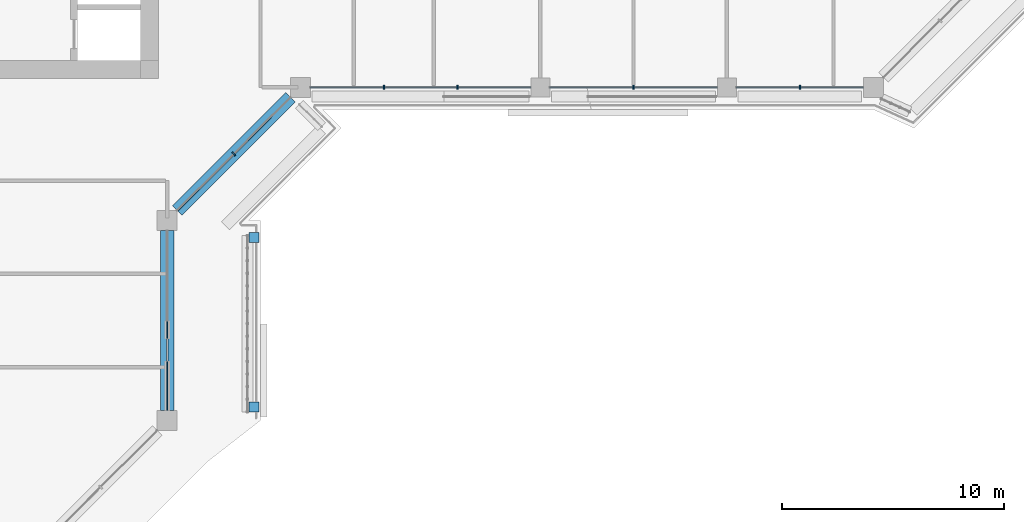
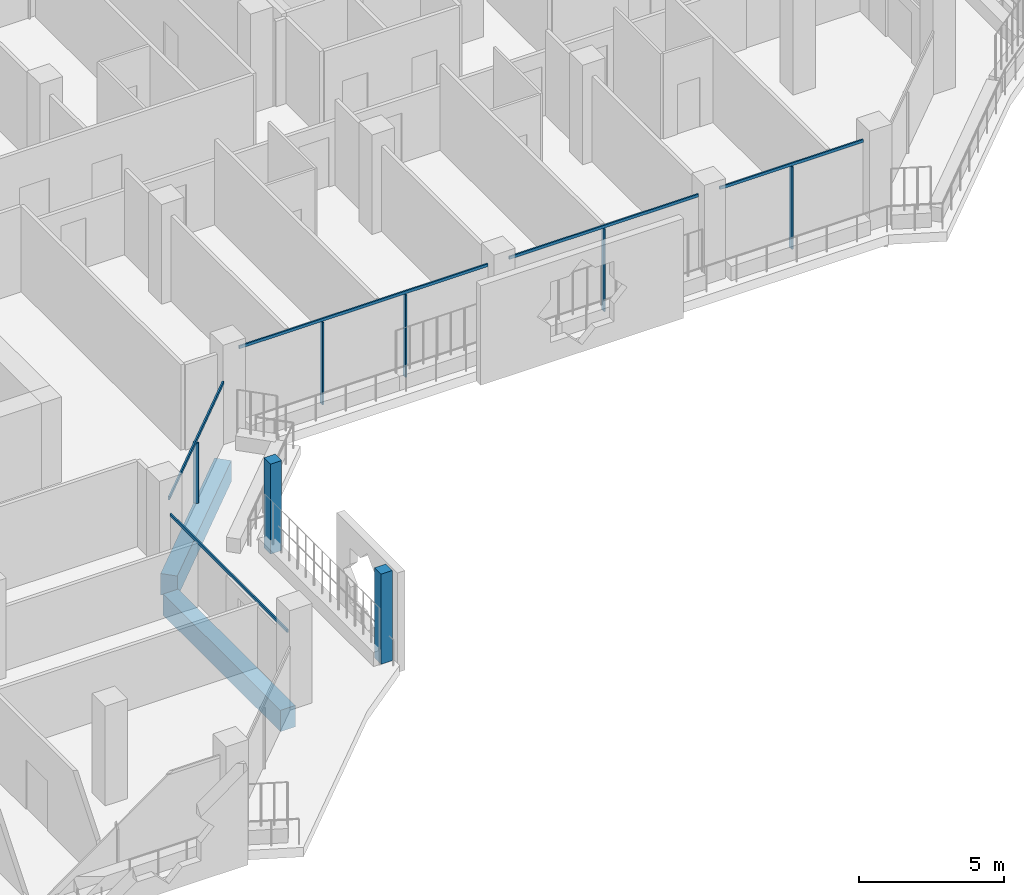
# One storey, part 4 of 21: 12 members, 2 beams, 4 elements without a shape of their own.
"""IFC4 building model written with IfcOpenShell, lengths in metres."""

from ifc_helpers import new_model, si_unit, direction, frame, origin, origin_2d, place, context, subcontext, project, spatial, rectangle, extrude, material, layer, layer_set, material_profile, profile_set, type_object, element, aggregate, save


model = new_model("IFC4")

# Units and contexts
model_context = context("Model", 3, precision=1e-05, world=origin(), true_north=direction((0.0, 1.0)))
body_context = subcontext(model_context, "Body", "Model", "MODEL_VIEW")
ifc_project = project(units=[si_unit("LENGTHUNIT", "METRE"), si_unit("AREAUNIT", "SQUARE_METRE"), si_unit("VOLUMEUNIT", "CUBIC_METRE"), si_unit("PLANEANGLEUNIT", "RADIAN"), si_unit("MASSUNIT", "GRAM", prefix="KILO")], contexts=[model_context])

# Site, building, storey
site_placement = place(None, origin())
site = spatial("IfcSite", under=ifc_project, at=site_placement, CompositionType="ELEMENT")
building_placement = place(site_placement, origin())
building = spatial("IfcBuilding", under=site, at=building_placement, Name="Kawkab Arch Medical Tower", CompositionType="ELEMENT")
storey_placement = place(building_placement, frame((0.0, 0.0, 264.199951171875)))
storey = spatial("IfcBuildingStorey", under=building, at=storey_placement, Name="L61", CompositionType="ELEMENT", Elevation=264.199951171875)

# Curtain wall, members
ifc_material_1 = material(Name="Bronze anodised aluminium curtain wall frame", Category="aluminium")
ifc_layer_1 = layer(ifc_material_1, 0.159912109375)
ifc_layer_set_1 = layer_set([ifc_layer_1], Name="Bronze anodised aluminium curtain wall frame")
curtain_wall_type_1 = type_object("IfcCurtainWallType", Name="CW1 ward curtain wall", PredefinedType="NOTDEFINED", material=ifc_layer_set_1)
placement = place(storey_placement, origin())
curtain_wall_1 = element("IfcCurtainWall", 1, at=placement, inside=storey, type_object=curtain_wall_type_1, Name="CW1 Ward curtain wall R07", PredefinedType="NOTDEFINED")
ifc_material_2 = material(Name="Bronze anodised aluminium curtain wall frame", Category="aluminium")
ifc_material_profile_1 = material_profile(ifc_material_2, rectangle(XDim=0.179931640625, YDim=0.06005859375, at=origin_2d()), Name="AL 60x180")
ifc_profile_set_1 = profile_set([ifc_material_profile_1], Name="Bronze anodised aluminium curtain wall frame")
member_type_1 = type_object("IfcMemberType", Name="CW1 mullion 60 x 180", PredefinedType="MULLION", material=ifc_profile_set_1)
member_1_placement = place(storey_placement, frame((34.958251953125, -25.199951171875, 0.0), z_axis=(0.0, 0.0, 1.0), x_axis=(0.0, 1.0, 0.0)))
member_1 = element("IfcMember", 2, at=member_1_placement, type_object=member_type_1, Name="CW1 mullion 1.1", PredefinedType="MULLION", context=body_context, shape_type="SweptSolid", body=[
    extrude(rectangle(XDim=0.179931640625, YDim=0.06005859375, at=origin_2d()), origin(), (0.0, 0.0, 1.0), 3.47998046875),
])
member_2_placement = place(storey_placement, frame((38.2666015625, -25.199951171875, 0.0), z_axis=(0.0, 0.0, 1.0), x_axis=(0.0, 1.0, 0.0)))
member_2 = element("IfcMember", 3, at=member_2_placement, type_object=member_type_1, Name="CW1 mullion 1.2", PredefinedType="MULLION", context=body_context, shape_type="SweptSolid", body=[
    extrude(rectangle(XDim=0.179931640625, YDim=0.06005859375, at=origin_2d()), origin(), (0.0, 0.0, 1.0), 3.47998046875),
])
member_3_placement = place(storey_placement, frame((46.199951171875, -25.199951171875, 0.0), z_axis=(0.0, 0.0, 1.0), x_axis=(0.0, 1.0, 0.0)))
member_3 = element("IfcMember", 4, at=member_3_placement, type_object=member_type_1, Name="CW1 mullion 2.1", PredefinedType="MULLION", context=body_context, shape_type="SweptSolid", body=[
    extrude(rectangle(XDim=0.179931640625, YDim=0.06005859375, at=origin_2d()), origin(), (0.0, 0.0, 1.0), 3.47998046875),
])
member_4_placement = place(storey_placement, frame((53.6875, -25.199951171875, 0.0), z_axis=(0.0, 0.0, 1.0), x_axis=(0.0, 1.0, 0.0)))
member_4 = element("IfcMember", 5, at=member_4_placement, type_object=member_type_1, Name="CW1 mullion 3.1", PredefinedType="MULLION", context=body_context, shape_type="SweptSolid", body=[
    extrude(rectangle(XDim=0.179931640625, YDim=0.06005859375, at=origin_2d()), origin(), (0.0, 0.0, 1.0), 3.47998046875),
])

# Curtain wall, member
curtain_wall_2 = element("IfcCurtainWall", 6, at=placement, inside=storey, type_object=curtain_wall_type_1, Name="CW1 Ward curtain wall R05", PredefinedType="NOTDEFINED")
ifc_material_3 = material(Name="Bronze anodised aluminium curtain wall frame", Category="aluminium")
ifc_material_profile_2 = material_profile(ifc_material_3, rectangle(XDim=0.06005859375, YDim=0.1201171875, at=origin_2d()), Name="AL 60x120")
ifc_profile_set_2 = profile_set([ifc_material_profile_2], Name="Bronze anodised aluminium curtain wall frame")
member_type_2 = type_object("IfcMemberType", Name="CW1 transom 120 x 60", PredefinedType="USERDEFINED", material=ifc_profile_set_2)
member_5_placement = place(storey_placement, frame((25.199951171875, -39.75, 2.64013671875), z_axis=(0.0, 1.0, 0.0), x_axis=(-1.0, 0.0, 0.0)))
member_5 = element("IfcMember", 7, at=member_5_placement, type_object=member_type_2, Name="CW1 transom 1", ObjectType="TRANSOM", PredefinedType="USERDEFINED", context=body_context, shape_type="SweptSolid", body=[
    extrude(rectangle(XDim=0.06005859375, YDim=0.1201171875, at=origin_2d()), origin(), (0.0, 0.0, 1.0), 8.10009765625),
])
aggregate(curtain_wall_2, [member_5])

# Member
member_6_placement = place(storey_placement, frame((31.64990234375, -25.199951171875, 3.5400390625), z_axis=(1.0, 0.0, 0.0), x_axis=(0.0, 1.0, 0.0)))
member_6 = element("IfcMember", 8, at=member_6_placement, type_object=member_type_2, Name="CW1 transom 1", ObjectType="TRANSOM", PredefinedType="USERDEFINED", context=body_context, shape_type="SweptSolid", body=[
    extrude(rectangle(XDim=0.06005859375, YDim=0.1201171875, at=origin_2d()), origin(), (0.0, 0.0, 1.0), 9.925048828125),
])

member_7_placement = place(storey_placement, frame((42.425048828125, -25.199951171875, 3.5400390625), z_axis=(1.0, 0.0, 0.0), x_axis=(0.0, 1.0, 0.0)))
member_7 = element("IfcMember", 9, at=member_7_placement, type_object=member_type_2, Name="CW1 transom 2", ObjectType="TRANSOM", PredefinedType="USERDEFINED", context=body_context, shape_type="SweptSolid", body=[
    extrude(rectangle(XDim=0.06005859375, YDim=0.1201171875, at=origin_2d()), origin(), (0.0, 0.0, 1.0), 7.550048828125),
])

member_8_placement = place(storey_placement, frame((50.824951171875, -25.199951171875, 3.5400390625), z_axis=(1.0, 0.0, 0.0), x_axis=(0.0, 1.0, 0.0)))
member_8 = element("IfcMember", 10, at=member_8_placement, type_object=member_type_2, Name="CW1 transom 3", ObjectType="TRANSOM", PredefinedType="USERDEFINED", context=body_context, shape_type="SweptSolid", body=[
    extrude(rectangle(XDim=0.06005859375, YDim=0.1201171875, at=origin_2d()), origin(), (0.0, 0.0, 1.0), 5.72509765625),
])

aggregate(curtain_wall_1, [member_6, member_1, member_2, member_7, member_3, member_8, member_4])

# Curtain wall, members
ifc_material_4 = material(Name="Bronze anodised aluminium curtain wall frame", Category="aluminium")
ifc_layer_2 = layer(ifc_material_4, 0.159912109375)
ifc_layer_set_2 = layer_set([ifc_layer_2], Name="Bronze anodised aluminium curtain wall frame")
curtain_wall_type_2 = type_object("IfcCurtainWallType", Name="CW2 chamfer curtain wall", PredefinedType="NOTDEFINED", material=ifc_layer_set_2)
curtain_wall_3 = element("IfcCurtainWall", 11, at=placement, inside=storey, type_object=curtain_wall_type_2, Name="CW2 Chamfer curtain wall R06", PredefinedType="NOTDEFINED")
ifc_material_5 = material(Name="Bronze anodised aluminium curtain wall frame", Category="aluminium")
ifc_material_profile_3 = material_profile(ifc_material_5, rectangle(XDim=0.199951171875, YDim=0.06005859375, at=origin_2d()), Name="AL 60x200")
ifc_profile_set_3 = profile_set([ifc_material_profile_3], Name="Bronze anodised aluminium curtain wall frame")
member_type_3 = type_object("IfcMemberType", Name="CW2 mullion 60 x 200", PredefinedType="MULLION", material=ifc_profile_set_3)
member_9_placement = place(storey_placement, frame((28.199951171875, -28.199951171875, 0.0), z_axis=(0.0, 0.0, 1.0), x_axis=(-0.707106781187, 0.707106781187, 0.0)))
member_9 = element("IfcMember", 12, at=member_9_placement, type_object=member_type_3, Name="CW2 mullion 1.1", PredefinedType="MULLION", context=body_context, shape_type="SweptSolid", body=[
    extrude(rectangle(XDim=0.199951171875, YDim=0.06005859375, at=origin_2d()), origin(), (0.0, 0.0, 1.0), 2.56005859375),
])
ifc_material_6 = material(Name="Bronze anodised aluminium curtain wall frame", Category="aluminium")
ifc_material_profile_4 = material_profile(ifc_material_6, rectangle(XDim=0.06005859375, YDim=0.139892578125, at=origin_2d()), Name="AL 60x140")
ifc_profile_set_4 = profile_set([ifc_material_profile_4], Name="Bronze anodised aluminium curtain wall frame")
member_type_4 = type_object("IfcMemberType", Name="CW2 transom 140 x 60", PredefinedType="USERDEFINED", material=ifc_profile_set_4)
member_10_placement = place(storey_placement, frame((25.64990234375, -30.75, 2.630126953125), z_axis=(0.707106781187, 0.707106781187, 0.0), x_axis=(-0.707106781187, 0.707106781187, 0.0)))
member_10 = element("IfcMember", 13, at=member_10_placement, type_object=member_type_4, Name="CW2 transom 1", ObjectType="TRANSOM", PredefinedType="USERDEFINED", context=body_context, shape_type="SweptSolid", body=[
    extrude(rectangle(XDim=0.06005859375, YDim=0.139892578125, at=origin_2d()), origin(), (0.0, 0.0, 1.0), 7.212646484375),
])
aggregate(curtain_wall_3, [member_10, member_9])

ifc_material_7 = material(Name="Bronze anodised aluminium climber frame, planted", Category="aluminium")
ifc_layer_3 = layer(ifc_material_7, 0.449951171875)
ifc_layer_set_3 = layer_set([ifc_layer_3], Name="Bronze anodised aluminium climber frame, planted")
curtain_wall_type_3 = type_object("IfcCurtainWallType", Name="Planted climber frame", PredefinedType="NOTDEFINED", material=ifc_layer_set_3)
curtain_wall_4 = element("IfcCurtainWall", 14, at=placement, inside=storey, type_object=curtain_wall_type_3, Name="Planted climber frame L61", PredefinedType="NOTDEFINED")
ifc_material_8 = material(Name="Bronze anodised aluminium climber frame, planted", Category="aluminium")
ifc_material_profile_5 = material_profile(ifc_material_8, rectangle(XDim=0.449951171875, YDim=0.449951171875, at=origin_2d()), Name="Post 450x450")
ifc_profile_set_5 = profile_set([ifc_material_profile_5], Name="Bronze anodised aluminium climber frame, planted")
member_type_5 = type_object("IfcMemberType", Name="Planted climber post 450 x 450", PredefinedType="MULLION", material=ifc_profile_set_5)
member_11_placement = place(storey_placement, frame((29.10009765625, -31.949951171875, 0.0), z_axis=(0.0, 0.0, 1.0), x_axis=(1.0, 0.0, 0.0)))
member_11 = element("IfcMember", 15, at=member_11_placement, type_object=member_type_5, Name="Planted climber post L61.LOG-01-01.3", PredefinedType="MULLION", context=body_context, shape_type="SweptSolid", body=[
    extrude(rectangle(XDim=0.449951171875, YDim=0.449951171875, at=origin_2d()), origin(), (0.0, 0.0, 1.0), 3.800048828125),
])
member_12_placement = place(storey_placement, frame((29.10009765625, -39.60302734375, 0.0), z_axis=(0.0, 0.0, 1.0), x_axis=(1.0, 0.0, 0.0)))
member_12 = element("IfcMember", 16, at=member_12_placement, type_object=member_type_5, Name="Planted climber post L61.LOG-01-01.4", PredefinedType="MULLION", context=body_context, shape_type="SweptSolid", body=[
    extrude(rectangle(XDim=0.449951171875, YDim=0.449951171875, at=origin_2d()), origin(), (0.0, 0.0, 1.0), 3.800048828125),
])
aggregate(curtain_wall_4, [member_11, member_12])

# Beams
ifc_material_9 = material(Name="Concrete C45/55", Category="concrete")
ifc_material_profile_6 = material_profile(ifc_material_9, rectangle(XDim=0.60009765625, YDim=0.89990234375, at=origin_2d()), Name="RC 600x900")
ifc_profile_set_6 = profile_set([ifc_material_profile_6], Name="Concrete C45/55")
beam_type = type_object("IfcBeamType", Name="RC 600x900 beam C45/55", PredefinedType="BEAM", material=ifc_profile_set_6)
beam_1_placement = place(storey_placement, frame((30.75, -25.64990234375, -1.050048828125), z_axis=(-0.707106781187, -0.707106781187, 0.0), x_axis=(0.707106781187, -0.707106781187, 0.0)))
element("IfcBeam", 17, at=beam_1_placement, inside=storey, type_object=beam_type, Name="Overhang edge beam L61-04", PredefinedType="BEAM", context=body_context, shape_type="SweptSolid", body=[
    extrude(rectangle(XDim=0.60009765625, YDim=0.89990234375, at=origin_2d()), origin(), (0.0, 0.0, 1.0), 7.212646484375),
])
beam_2_placement = place(storey_placement, frame((25.199951171875, -31.64990234375, -1.050048828125), z_axis=(0.0, -1.0, 0.0), x_axis=(1.0, 0.0, 0.0)))
element("IfcBeam", 18, at=beam_2_placement, inside=storey, type_object=beam_type, Name="Overhang edge beam L61-05", PredefinedType="BEAM", context=body_context, shape_type="SweptSolid", body=[
    extrude(rectangle(XDim=0.60009765625, YDim=0.89990234375, at=origin_2d()), origin(), (0.0, 0.0, 1.0), 8.10009765625),
])

save(model, "model.ifc")
